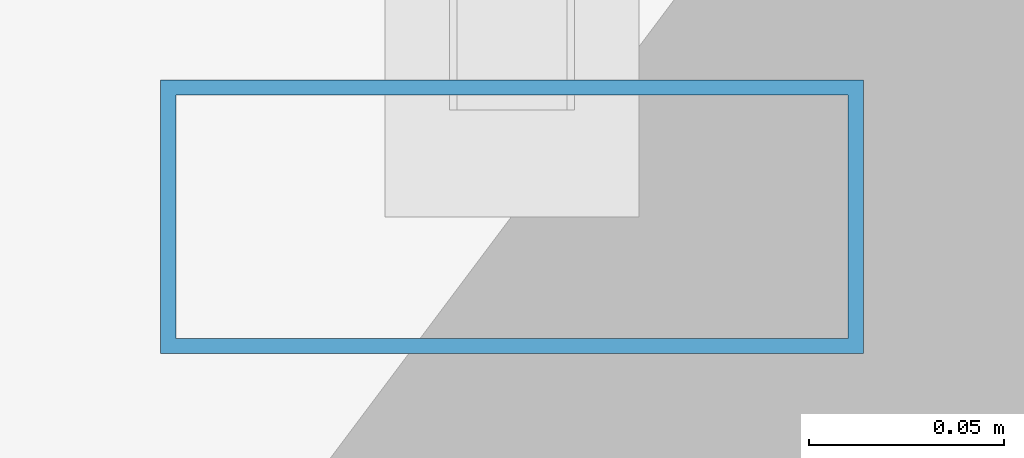
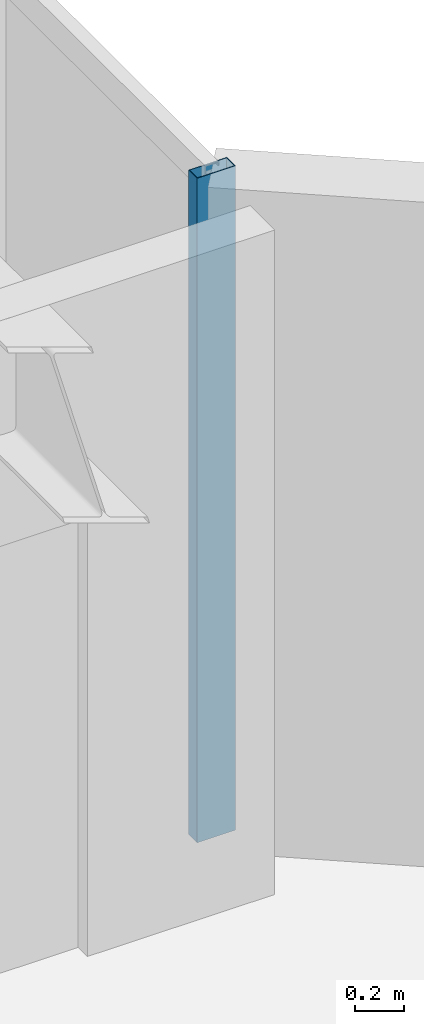
# One storey, part 10 of 25: 1 member, 1 element without a shape of its own.
"""IFC4 building model written with IfcOpenShell, lengths in metres."""

from ifc_helpers import new_model, si_unit, direction, frame, origin, origin_2d, place, context, subcontext, project, spatial, hollow_rectangle, extrude, material, layer, layer_set, material_profile, profile_set, type_object, element, aggregate, save


model = new_model("IFC4")

# Units and contexts
model_context = context("Model", 3, precision=1e-05, world=origin(), true_north=direction((0.0, 1.0)))
body_context = subcontext(model_context, "Body", "Model", "MODEL_VIEW")
ifc_project = project(units=[si_unit("LENGTHUNIT", "METRE"), si_unit("AREAUNIT", "SQUARE_METRE"), si_unit("VOLUMEUNIT", "CUBIC_METRE"), si_unit("PLANEANGLEUNIT", "RADIAN"), si_unit("MASSUNIT", "GRAM", prefix="KILO")], contexts=[model_context])

# Site, building, storey
site_placement = place(None, origin())
site = spatial("IfcSite", under=ifc_project, at=site_placement, CompositionType="ELEMENT")
building_placement = place(site_placement, origin())
building = spatial("IfcBuilding", under=site, at=building_placement, Name="Hatsunagi Terrace Concourse", CompositionType="ELEMENT")
storey_placement = place(building_placement, frame((0.0, 0.0, 231.14990234375)))
storey = spatial("IfcBuildingStorey", under=building, at=storey_placement, Name="L61", CompositionType="ELEMENT", Elevation=231.14990234375)

# Curtain wall, member
ifc_material_1 = material(Name="Anodised Aluminium Alloy 6063-T5", Category="aluminium")
ifc_layer = layer(ifc_material_1, 0.199951171875)
ifc_layer_set = layer_set([ifc_layer], Name="OfficeZone2_CW04")
curtain_wall_type = type_object("IfcCurtainWallType", Name="OfficeZone2_CW04", PredefinedType="NOTDEFINED", material=ifc_layer_set)
curtain_wall_placement = place(storey_placement, origin())
curtain_wall = element("IfcCurtainWall", 1, at=curtain_wall_placement, inside=storey, type_object=curtain_wall_type, Name="Unitised Curtain Wall CW-04 CW-L61-12", PredefinedType="NOTDEFINED")
ifc_material_2 = material(Name="Anodised Aluminium Alloy 6063-T5", Category="aluminium")
ifc_material_profile = material_profile(ifc_material_2, hollow_rectangle(XDim=0.070068359375, YDim=0.179931640625, WallThickness=0.00390625, at=origin_2d()), Name="ALU-MUL-180x70x4")
ifc_profile_set = profile_set([ifc_material_profile], Name="Anodised Aluminium Alloy 6063-T5")
member_type = type_object("IfcMemberType", Name="CurtainWallMullion_180x70", PredefinedType="MULLION", material=ifc_profile_set)
member_placement = place(storey_placement, frame((44.860107421875, 40.72998046875, 0.0), z_axis=(0.0, 0.0, 1.0), x_axis=(0.0, -1.0, 0.0)))
member = element("IfcMember", 2, at=member_placement, type_object=member_type, Name="Curtain Wall Mullion MUL-02", PredefinedType="MULLION", context=body_context, shape_type="SweptSolid", body=[
    extrude(hollow_rectangle(XDim=0.070068359375, YDim=0.179931640625, WallThickness=0.00390625, at=origin_2d()), origin(), (0.0, 0.0, 1.0), 3.300048828125),
])
aggregate(curtain_wall, [member])

save(model, "model.ifc")
